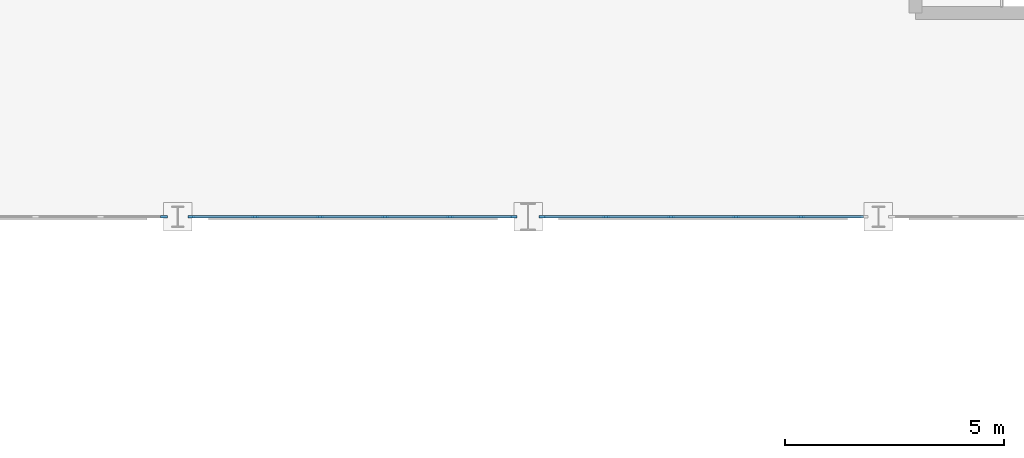
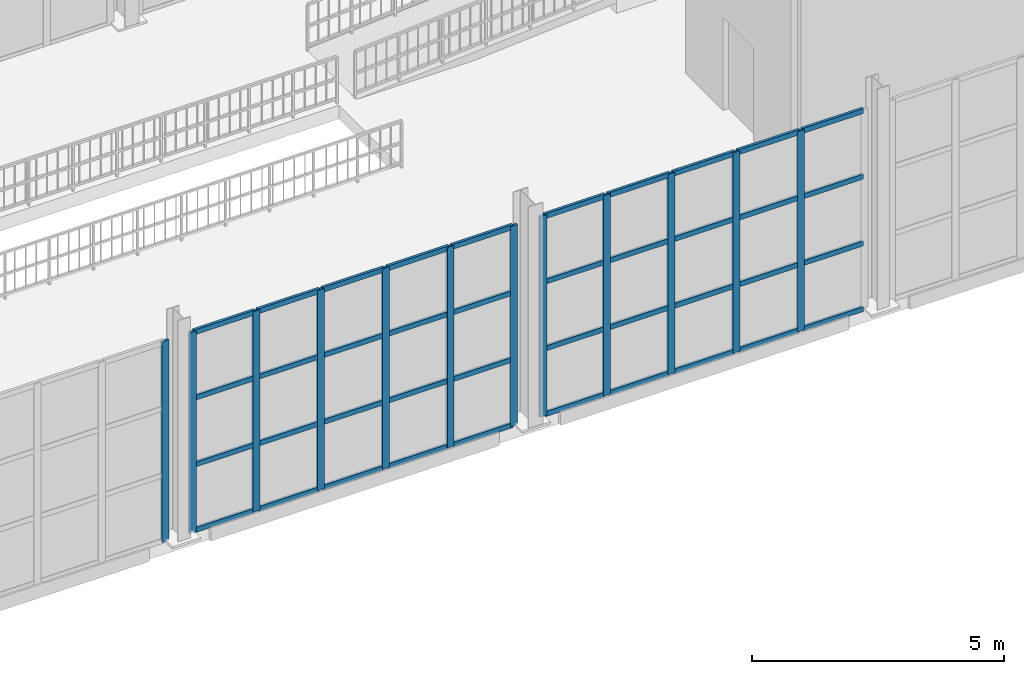
# One storey, part 18 of 82: 52 members, 3 elements without a shape of their own.
"""IFC4 building model written with IfcOpenShell, lengths in metres."""

from ifc_helpers import new_model, si_unit, direction, frame, origin, origin_2d, place, context, subcontext, project, spatial, rectangle, extrude, material, material_profile, profile_set, type_object, element, aggregate, save


model = new_model("IFC4")

# Units and contexts
model_context = context("Model", 3, precision=1e-05, world=origin(), true_north=direction((0.0, 1.0)))
body_context = subcontext(model_context, "Body", "Model", "MODEL_VIEW")
ifc_project = project(units=[si_unit("LENGTHUNIT", "METRE"), si_unit("AREAUNIT", "SQUARE_METRE"), si_unit("VOLUMEUNIT", "CUBIC_METRE"), si_unit("PLANEANGLEUNIT", "RADIAN"), si_unit("MASSUNIT", "GRAM", prefix="KILO")], contexts=[model_context])

# Site, building, storey
site_placement = place(None, origin())
site = spatial("IfcSite", under=ifc_project, at=site_placement, CompositionType="ELEMENT")
building_placement = place(site_placement, origin())
building = spatial("IfcBuilding", under=site, at=building_placement, Name="Serraluz Foothill Cableway Terminal", CompositionType="ELEMENT")
storey_placement = place(building_placement, frame((0.0, 0.0, 9.60009765625)))
storey = spatial("IfcBuildingStorey", under=building, at=storey_placement, Name="L02", CompositionType="ELEMENT", Elevation=9.60009765625)

# Curtain wall, member
ifc_material = material(Name="Architectural bronze alloy C28000", Category="aluminium")
curtain_wall_type_1 = type_object("IfcCurtainWallType", Name="TYP-CW-740X440", PredefinedType="NOTDEFINED", material=ifc_material)
curtain_wall_1_placement = place(storey_placement, origin())
curtain_wall_1 = element("IfcCurtainWall", 1, at=curtain_wall_1_placement, inside=storey, type_object=curtain_wall_type_1, Name="Ribbed Glazed Curtain Wall CW-V1S-L02-40", PredefinedType="NOTDEFINED")
ifc_material_profile_1 = material_profile(ifc_material, rectangle(XDim=0.06005859375, YDim=0.159912109375, at=origin_2d()), Name="ALU MULLION 60x160")
ifc_profile_set_1 = profile_set([ifc_material_profile_1], Name="Architectural bronze alloy C28000")
member_type_1 = type_object("IfcMemberType", Name="TYP-CW-MUL-60X160", PredefinedType="MULLION", material=ifc_profile_set_1)
member_1_placement = place(storey_placement, frame((47.6884765625, 56.0, 0.0), z_axis=(0.0, 0.0, 1.0), x_axis=(0.0, -1.0, 0.0)))
member_1 = element("IfcMember", 2, at=member_1_placement, type_object=member_type_1, Name="CW-06 mullion 1", PredefinedType="MULLION", context=body_context, shape_type="SweptSolid", body=[
    extrude(rectangle(XDim=0.06005859375, YDim=0.159912109375, at=origin_2d()), origin(), (0.0, 0.0, 1.0), 4.849853515625),
])
aggregate(curtain_wall_1, [member_1])

# Curtain wall, members
curtain_wall_type_2 = type_object("IfcCurtainWallType", Name="TYP-CW-740X490", PredefinedType="NOTDEFINED", material=ifc_material)
curtain_wall_2_placement = place(storey_placement, origin())
curtain_wall_2 = element("IfcCurtainWall", 3, at=curtain_wall_2_placement, inside=storey, type_object=curtain_wall_type_2, Name="Ribbed Glazed Curtain Wall CW-V1S-L02-48", PredefinedType="NOTDEFINED")
member_2_placement = place(storey_placement, frame((55.66748046875, 56.0, 0.0), z_axis=(0.0, 0.0, 1.0), x_axis=(0.0, -1.0, 0.0)))
member_2 = element("IfcMember", 4, at=member_2_placement, type_object=member_type_1, Name="CW-07 mullion 1", PredefinedType="MULLION", context=body_context, shape_type="SweptSolid", body=[
    extrude(rectangle(XDim=0.06005859375, YDim=0.159912109375, at=origin_2d()), origin(), (0.0, 0.0, 1.0), 4.849853515625),
])
member_3_placement = place(storey_placement, frame((54.21435546875, 56.0, 0.0), z_axis=(0.0, 0.0, 1.0), x_axis=(0.0, -1.0, 0.0)))
member_3 = element("IfcMember", 5, at=member_3_placement, type_object=member_type_1, Name="CW-07 mullion 2", PredefinedType="MULLION", context=body_context, shape_type="SweptSolid", body=[
    extrude(rectangle(XDim=0.06005859375, YDim=0.159912109375, at=origin_2d()), origin(), (0.0, 0.0, 1.0), 4.849853515625),
])
member_4_placement = place(storey_placement, frame((52.731201171875, 56.0, 0.0), z_axis=(0.0, 0.0, 1.0), x_axis=(0.0, -1.0, 0.0)))
member_4 = element("IfcMember", 6, at=member_4_placement, type_object=member_type_1, Name="CW-07 mullion 3", PredefinedType="MULLION", context=body_context, shape_type="SweptSolid", body=[
    extrude(rectangle(XDim=0.06005859375, YDim=0.159912109375, at=origin_2d()), origin(), (0.0, 0.0, 1.0), 4.849853515625),
])
member_5_placement = place(storey_placement, frame((51.247802734375, 56.0, 0.0), z_axis=(0.0, 0.0, 1.0), x_axis=(0.0, -1.0, 0.0)))
member_5 = element("IfcMember", 7, at=member_5_placement, type_object=member_type_1, Name="CW-07 mullion 4", PredefinedType="MULLION", context=body_context, shape_type="SweptSolid", body=[
    extrude(rectangle(XDim=0.06005859375, YDim=0.159912109375, at=origin_2d()), origin(), (0.0, 0.0, 1.0), 4.849853515625),
])
member_6_placement = place(storey_placement, frame((49.7646484375, 56.0, 0.0), z_axis=(0.0, 0.0, 1.0), x_axis=(0.0, -1.0, 0.0)))
member_6 = element("IfcMember", 8, at=member_6_placement, type_object=member_type_1, Name="CW-07 mullion 5", PredefinedType="MULLION", context=body_context, shape_type="SweptSolid", body=[
    extrude(rectangle(XDim=0.06005859375, YDim=0.159912109375, at=origin_2d()), origin(), (0.0, 0.0, 1.0), 4.849853515625),
])
member_7_placement = place(storey_placement, frame((48.3115234375, 56.0, 0.0), z_axis=(0.0, 0.0, 1.0), x_axis=(0.0, -1.0, 0.0)))
member_7 = element("IfcMember", 9, at=member_7_placement, type_object=member_type_1, Name="CW-07 mullion 6", PredefinedType="MULLION", context=body_context, shape_type="SweptSolid", body=[
    extrude(rectangle(XDim=0.06005859375, YDim=0.159912109375, at=origin_2d()), origin(), (0.0, 0.0, 1.0), 4.849853515625),
])

curtain_wall_type_3 = type_object("IfcCurtainWallType", Name="TYP-CW-520X440", PredefinedType="NOTDEFINED", material=ifc_material)
curtain_wall_3_placement = place(storey_placement, origin())
curtain_wall_3 = element("IfcCurtainWall", 10, at=curtain_wall_3_placement, inside=storey, type_object=curtain_wall_type_3, Name="Ribbed Glazed Curtain Wall CW-V1S-L02-56", PredefinedType="NOTDEFINED")
member_8_placement = place(storey_placement, frame((62.2353515625, 56.0, 0.0), z_axis=(0.0, 0.0, 1.0), x_axis=(0.0, -1.0, 0.0)))
member_8 = element("IfcMember", 11, at=member_8_placement, type_object=member_type_1, Name="CW-08 mullion 2", PredefinedType="MULLION", context=body_context, shape_type="SweptSolid", body=[
    extrude(rectangle(XDim=0.06005859375, YDim=0.159912109375, at=origin_2d()), origin(), (0.0, 0.0, 1.0), 4.849853515625),
])
member_9_placement = place(storey_placement, frame((60.752197265625, 56.0, 0.0), z_axis=(0.0, 0.0, 1.0), x_axis=(0.0, -1.0, 0.0)))
member_9 = element("IfcMember", 12, at=member_9_placement, type_object=member_type_1, Name="CW-08 mullion 3", PredefinedType="MULLION", context=body_context, shape_type="SweptSolid", body=[
    extrude(rectangle(XDim=0.06005859375, YDim=0.159912109375, at=origin_2d()), origin(), (0.0, 0.0, 1.0), 4.849853515625),
])
member_10_placement = place(storey_placement, frame((59.268798828125, 56.0, 0.0), z_axis=(0.0, 0.0, 1.0), x_axis=(0.0, -1.0, 0.0)))
member_10 = element("IfcMember", 13, at=member_10_placement, type_object=member_type_1, Name="CW-08 mullion 4", PredefinedType="MULLION", context=body_context, shape_type="SweptSolid", body=[
    extrude(rectangle(XDim=0.06005859375, YDim=0.159912109375, at=origin_2d()), origin(), (0.0, 0.0, 1.0), 4.849853515625),
])
member_11_placement = place(storey_placement, frame((57.78564453125, 56.0, 0.0), z_axis=(0.0, 0.0, 1.0), x_axis=(0.0, -1.0, 0.0)))
member_11 = element("IfcMember", 14, at=member_11_placement, type_object=member_type_1, Name="CW-08 mullion 5", PredefinedType="MULLION", context=body_context, shape_type="SweptSolid", body=[
    extrude(rectangle(XDim=0.06005859375, YDim=0.159912109375, at=origin_2d()), origin(), (0.0, 0.0, 1.0), 4.849853515625),
])
member_12_placement = place(storey_placement, frame((56.33251953125, 56.0, 0.0), z_axis=(0.0, 0.0, 1.0), x_axis=(0.0, -1.0, 0.0)))
member_12 = element("IfcMember", 15, at=member_12_placement, type_object=member_type_1, Name="CW-08 mullion 6", PredefinedType="MULLION", context=body_context, shape_type="SweptSolid", body=[
    extrude(rectangle(XDim=0.06005859375, YDim=0.159912109375, at=origin_2d()), origin(), (0.0, 0.0, 1.0), 4.849853515625),
])

# Member
ifc_material_profile_2 = material_profile(ifc_material, rectangle(XDim=0.06005859375, YDim=0.1201171875, at=origin_2d()), Name="ALU TRANSOM 60x120")
ifc_profile_set_2 = profile_set([ifc_material_profile_2], Name="Architectural bronze alloy C28000")
member_type_2 = type_object("IfcMemberType", Name="TYP-CW-TRN-60X120", PredefinedType="USERDEFINED", material=ifc_profile_set_2)
member_13_placement = place(storey_placement, frame((55.637451171875, 56.0, 0.02978515625), z_axis=(-1.0, 0.0, 0.0), x_axis=(0.0, -1.0, 0.0)))
member_13 = element("IfcMember", 16, at=member_13_placement, type_object=member_type_2, Name="CW-07 transom 1.1", ObjectType="TRANSOM", PredefinedType="USERDEFINED", context=body_context, shape_type="SweptSolid", body=[
    extrude(rectangle(XDim=0.06005859375, YDim=0.1201171875, at=origin_2d()), origin(), (0.0, 0.0, 1.0), 1.39306640625),
])

member_14_placement = place(storey_placement, frame((55.637451171875, 56.0, 1.61669921875), z_axis=(-1.0, 0.0, 0.0), x_axis=(0.0, -1.0, 0.0)))
member_14 = element("IfcMember", 17, at=member_14_placement, type_object=member_type_2, Name="CW-07 transom 1.2", ObjectType="TRANSOM", PredefinedType="USERDEFINED", context=body_context, shape_type="SweptSolid", body=[
    extrude(rectangle(XDim=0.06005859375, YDim=0.1201171875, at=origin_2d()), origin(), (0.0, 0.0, 1.0), 1.39306640625),
])

member_15_placement = place(storey_placement, frame((55.637451171875, 56.0, 3.233154296875), z_axis=(-1.0, 0.0, 0.0), x_axis=(0.0, -1.0, 0.0)))
member_15 = element("IfcMember", 18, at=member_15_placement, type_object=member_type_2, Name="CW-07 transom 1.3", ObjectType="TRANSOM", PredefinedType="USERDEFINED", context=body_context, shape_type="SweptSolid", body=[
    extrude(rectangle(XDim=0.06005859375, YDim=0.1201171875, at=origin_2d()), origin(), (0.0, 0.0, 1.0), 1.39306640625),
])

member_16_placement = place(storey_placement, frame((55.637451171875, 56.0, 4.81982421875), z_axis=(-1.0, 0.0, 0.0), x_axis=(0.0, -1.0, 0.0)))
member_16 = element("IfcMember", 19, at=member_16_placement, type_object=member_type_2, Name="CW-07 transom 1.4", ObjectType="TRANSOM", PredefinedType="USERDEFINED", context=body_context, shape_type="SweptSolid", body=[
    extrude(rectangle(XDim=0.06005859375, YDim=0.1201171875, at=origin_2d()), origin(), (0.0, 0.0, 1.0), 1.39306640625),
])

member_17_placement = place(storey_placement, frame((54.184326171875, 56.0, 0.02978515625), z_axis=(-1.0, 0.0, 0.0), x_axis=(0.0, -1.0, 0.0)))
member_17 = element("IfcMember", 20, at=member_17_placement, type_object=member_type_2, Name="CW-07 transom 2.1", ObjectType="TRANSOM", PredefinedType="USERDEFINED", context=body_context, shape_type="SweptSolid", body=[
    extrude(rectangle(XDim=0.06005859375, YDim=0.1201171875, at=origin_2d()), origin(), (0.0, 0.0, 1.0), 1.42333984375),
])

member_18_placement = place(storey_placement, frame((54.184326171875, 56.0, 1.61669921875), z_axis=(-1.0, 0.0, 0.0), x_axis=(0.0, -1.0, 0.0)))
member_18 = element("IfcMember", 21, at=member_18_placement, type_object=member_type_2, Name="CW-07 transom 2.2", ObjectType="TRANSOM", PredefinedType="USERDEFINED", context=body_context, shape_type="SweptSolid", body=[
    extrude(rectangle(XDim=0.06005859375, YDim=0.1201171875, at=origin_2d()), origin(), (0.0, 0.0, 1.0), 1.42333984375),
])

member_19_placement = place(storey_placement, frame((54.184326171875, 56.0, 3.233154296875), z_axis=(-1.0, 0.0, 0.0), x_axis=(0.0, -1.0, 0.0)))
member_19 = element("IfcMember", 22, at=member_19_placement, type_object=member_type_2, Name="CW-07 transom 2.3", ObjectType="TRANSOM", PredefinedType="USERDEFINED", context=body_context, shape_type="SweptSolid", body=[
    extrude(rectangle(XDim=0.06005859375, YDim=0.1201171875, at=origin_2d()), origin(), (0.0, 0.0, 1.0), 1.42333984375),
])

member_20_placement = place(storey_placement, frame((54.184326171875, 56.0, 4.81982421875), z_axis=(-1.0, 0.0, 0.0), x_axis=(0.0, -1.0, 0.0)))
member_20 = element("IfcMember", 23, at=member_20_placement, type_object=member_type_2, Name="CW-07 transom 2.4", ObjectType="TRANSOM", PredefinedType="USERDEFINED", context=body_context, shape_type="SweptSolid", body=[
    extrude(rectangle(XDim=0.06005859375, YDim=0.1201171875, at=origin_2d()), origin(), (0.0, 0.0, 1.0), 1.42333984375),
])

member_21_placement = place(storey_placement, frame((52.701171875, 56.0, 0.02978515625), z_axis=(-1.0, 0.0, 0.0), x_axis=(0.0, -1.0, 0.0)))
member_21 = element("IfcMember", 24, at=member_21_placement, type_object=member_type_2, Name="CW-07 transom 3.1", ObjectType="TRANSOM", PredefinedType="USERDEFINED", context=body_context, shape_type="SweptSolid", body=[
    extrude(rectangle(XDim=0.06005859375, YDim=0.1201171875, at=origin_2d()), origin(), (0.0, 0.0, 1.0), 1.42333984375),
])

member_22_placement = place(storey_placement, frame((52.701171875, 56.0, 1.61669921875), z_axis=(-1.0, 0.0, 0.0), x_axis=(0.0, -1.0, 0.0)))
member_22 = element("IfcMember", 25, at=member_22_placement, type_object=member_type_2, Name="CW-07 transom 3.2", ObjectType="TRANSOM", PredefinedType="USERDEFINED", context=body_context, shape_type="SweptSolid", body=[
    extrude(rectangle(XDim=0.06005859375, YDim=0.1201171875, at=origin_2d()), origin(), (0.0, 0.0, 1.0), 1.42333984375),
])

member_23_placement = place(storey_placement, frame((52.701171875, 56.0, 3.233154296875), z_axis=(-1.0, 0.0, 0.0), x_axis=(0.0, -1.0, 0.0)))
member_23 = element("IfcMember", 26, at=member_23_placement, type_object=member_type_2, Name="CW-07 transom 3.3", ObjectType="TRANSOM", PredefinedType="USERDEFINED", context=body_context, shape_type="SweptSolid", body=[
    extrude(rectangle(XDim=0.06005859375, YDim=0.1201171875, at=origin_2d()), origin(), (0.0, 0.0, 1.0), 1.42333984375),
])

member_24_placement = place(storey_placement, frame((52.701171875, 56.0, 4.81982421875), z_axis=(-1.0, 0.0, 0.0), x_axis=(0.0, -1.0, 0.0)))
member_24 = element("IfcMember", 27, at=member_24_placement, type_object=member_type_2, Name="CW-07 transom 3.4", ObjectType="TRANSOM", PredefinedType="USERDEFINED", context=body_context, shape_type="SweptSolid", body=[
    extrude(rectangle(XDim=0.06005859375, YDim=0.1201171875, at=origin_2d()), origin(), (0.0, 0.0, 1.0), 1.42333984375),
])

member_25_placement = place(storey_placement, frame((51.218017578125, 56.0, 0.02978515625), z_axis=(-1.0, 0.0, 0.0), x_axis=(0.0, -1.0, 0.0)))
member_25 = element("IfcMember", 28, at=member_25_placement, type_object=member_type_2, Name="CW-07 transom 4.1", ObjectType="TRANSOM", PredefinedType="USERDEFINED", context=body_context, shape_type="SweptSolid", body=[
    extrude(rectangle(XDim=0.06005859375, YDim=0.1201171875, at=origin_2d()), origin(), (0.0, 0.0, 1.0), 1.42333984375),
])

member_26_placement = place(storey_placement, frame((51.218017578125, 56.0, 1.61669921875), z_axis=(-1.0, 0.0, 0.0), x_axis=(0.0, -1.0, 0.0)))
member_26 = element("IfcMember", 29, at=member_26_placement, type_object=member_type_2, Name="CW-07 transom 4.2", ObjectType="TRANSOM", PredefinedType="USERDEFINED", context=body_context, shape_type="SweptSolid", body=[
    extrude(rectangle(XDim=0.06005859375, YDim=0.1201171875, at=origin_2d()), origin(), (0.0, 0.0, 1.0), 1.42333984375),
])

member_27_placement = place(storey_placement, frame((51.218017578125, 56.0, 3.233154296875), z_axis=(-1.0, 0.0, 0.0), x_axis=(0.0, -1.0, 0.0)))
member_27 = element("IfcMember", 30, at=member_27_placement, type_object=member_type_2, Name="CW-07 transom 4.3", ObjectType="TRANSOM", PredefinedType="USERDEFINED", context=body_context, shape_type="SweptSolid", body=[
    extrude(rectangle(XDim=0.06005859375, YDim=0.1201171875, at=origin_2d()), origin(), (0.0, 0.0, 1.0), 1.42333984375),
])

member_28_placement = place(storey_placement, frame((51.218017578125, 56.0, 4.81982421875), z_axis=(-1.0, 0.0, 0.0), x_axis=(0.0, -1.0, 0.0)))
member_28 = element("IfcMember", 31, at=member_28_placement, type_object=member_type_2, Name="CW-07 transom 4.4", ObjectType="TRANSOM", PredefinedType="USERDEFINED", context=body_context, shape_type="SweptSolid", body=[
    extrude(rectangle(XDim=0.06005859375, YDim=0.1201171875, at=origin_2d()), origin(), (0.0, 0.0, 1.0), 1.42333984375),
])

member_29_placement = place(storey_placement, frame((49.734619140625, 56.0, 0.02978515625), z_axis=(-1.0, 0.0, 0.0), x_axis=(0.0, -1.0, 0.0)))
member_29 = element("IfcMember", 32, at=member_29_placement, type_object=member_type_2, Name="CW-07 transom 5.1", ObjectType="TRANSOM", PredefinedType="USERDEFINED", context=body_context, shape_type="SweptSolid", body=[
    extrude(rectangle(XDim=0.06005859375, YDim=0.1201171875, at=origin_2d()), origin(), (0.0, 0.0, 1.0), 1.39306640625),
])

member_30_placement = place(storey_placement, frame((49.734619140625, 56.0, 1.61669921875), z_axis=(-1.0, 0.0, 0.0), x_axis=(0.0, -1.0, 0.0)))
member_30 = element("IfcMember", 33, at=member_30_placement, type_object=member_type_2, Name="CW-07 transom 5.2", ObjectType="TRANSOM", PredefinedType="USERDEFINED", context=body_context, shape_type="SweptSolid", body=[
    extrude(rectangle(XDim=0.06005859375, YDim=0.1201171875, at=origin_2d()), origin(), (0.0, 0.0, 1.0), 1.39306640625),
])

member_31_placement = place(storey_placement, frame((49.734619140625, 56.0, 3.233154296875), z_axis=(-1.0, 0.0, 0.0), x_axis=(0.0, -1.0, 0.0)))
member_31 = element("IfcMember", 34, at=member_31_placement, type_object=member_type_2, Name="CW-07 transom 5.3", ObjectType="TRANSOM", PredefinedType="USERDEFINED", context=body_context, shape_type="SweptSolid", body=[
    extrude(rectangle(XDim=0.06005859375, YDim=0.1201171875, at=origin_2d()), origin(), (0.0, 0.0, 1.0), 1.39306640625),
])

member_32_placement = place(storey_placement, frame((49.734619140625, 56.0, 4.81982421875), z_axis=(-1.0, 0.0, 0.0), x_axis=(0.0, -1.0, 0.0)))
member_32 = element("IfcMember", 35, at=member_32_placement, type_object=member_type_2, Name="CW-07 transom 5.4", ObjectType="TRANSOM", PredefinedType="USERDEFINED", context=body_context, shape_type="SweptSolid", body=[
    extrude(rectangle(XDim=0.06005859375, YDim=0.1201171875, at=origin_2d()), origin(), (0.0, 0.0, 1.0), 1.39306640625),
])

aggregate(curtain_wall_2, [member_2, member_3, member_4, member_5, member_6, member_7, member_13, member_14, member_15, member_16, member_17, member_18, member_19, member_20, member_21, member_22, member_23, member_24, member_25, member_26, member_27, member_28, member_29, member_30, member_31, member_32])

member_33_placement = place(storey_placement, frame((63.658447265625, 56.0, 0.02978515625), z_axis=(-1.0, 0.0, 0.0), x_axis=(0.0, -1.0, 0.0)))
member_33 = element("IfcMember", 36, at=member_33_placement, type_object=member_type_2, Name="CW-08 transom 1.1", ObjectType="TRANSOM", PredefinedType="USERDEFINED", context=body_context, shape_type="SweptSolid", body=[
    extrude(rectangle(XDim=0.06005859375, YDim=0.1201171875, at=origin_2d()), origin(), (0.0, 0.0, 1.0), 1.39306640625),
])

member_34_placement = place(storey_placement, frame((63.658447265625, 56.0, 1.61669921875), z_axis=(-1.0, 0.0, 0.0), x_axis=(0.0, -1.0, 0.0)))
member_34 = element("IfcMember", 37, at=member_34_placement, type_object=member_type_2, Name="CW-08 transom 1.2", ObjectType="TRANSOM", PredefinedType="USERDEFINED", context=body_context, shape_type="SweptSolid", body=[
    extrude(rectangle(XDim=0.06005859375, YDim=0.1201171875, at=origin_2d()), origin(), (0.0, 0.0, 1.0), 1.39306640625),
])

member_35_placement = place(storey_placement, frame((63.658447265625, 56.0, 3.233154296875), z_axis=(-1.0, 0.0, 0.0), x_axis=(0.0, -1.0, 0.0)))
member_35 = element("IfcMember", 38, at=member_35_placement, type_object=member_type_2, Name="CW-08 transom 1.3", ObjectType="TRANSOM", PredefinedType="USERDEFINED", context=body_context, shape_type="SweptSolid", body=[
    extrude(rectangle(XDim=0.06005859375, YDim=0.1201171875, at=origin_2d()), origin(), (0.0, 0.0, 1.0), 1.39306640625),
])

member_36_placement = place(storey_placement, frame((63.658447265625, 56.0, 4.81982421875), z_axis=(-1.0, 0.0, 0.0), x_axis=(0.0, -1.0, 0.0)))
member_36 = element("IfcMember", 39, at=member_36_placement, type_object=member_type_2, Name="CW-08 transom 1.4", ObjectType="TRANSOM", PredefinedType="USERDEFINED", context=body_context, shape_type="SweptSolid", body=[
    extrude(rectangle(XDim=0.06005859375, YDim=0.1201171875, at=origin_2d()), origin(), (0.0, 0.0, 1.0), 1.39306640625),
])

member_37_placement = place(storey_placement, frame((62.205322265625, 56.0, 0.02978515625), z_axis=(-1.0, 0.0, 0.0), x_axis=(0.0, -1.0, 0.0)))
member_37 = element("IfcMember", 40, at=member_37_placement, type_object=member_type_2, Name="CW-08 transom 2.1", ObjectType="TRANSOM", PredefinedType="USERDEFINED", context=body_context, shape_type="SweptSolid", body=[
    extrude(rectangle(XDim=0.06005859375, YDim=0.1201171875, at=origin_2d()), origin(), (0.0, 0.0, 1.0), 1.42333984375),
])

member_38_placement = place(storey_placement, frame((62.205322265625, 56.0, 1.61669921875), z_axis=(-1.0, 0.0, 0.0), x_axis=(0.0, -1.0, 0.0)))
member_38 = element("IfcMember", 41, at=member_38_placement, type_object=member_type_2, Name="CW-08 transom 2.2", ObjectType="TRANSOM", PredefinedType="USERDEFINED", context=body_context, shape_type="SweptSolid", body=[
    extrude(rectangle(XDim=0.06005859375, YDim=0.1201171875, at=origin_2d()), origin(), (0.0, 0.0, 1.0), 1.42333984375),
])

member_39_placement = place(storey_placement, frame((62.205322265625, 56.0, 3.233154296875), z_axis=(-1.0, 0.0, 0.0), x_axis=(0.0, -1.0, 0.0)))
member_39 = element("IfcMember", 42, at=member_39_placement, type_object=member_type_2, Name="CW-08 transom 2.3", ObjectType="TRANSOM", PredefinedType="USERDEFINED", context=body_context, shape_type="SweptSolid", body=[
    extrude(rectangle(XDim=0.06005859375, YDim=0.1201171875, at=origin_2d()), origin(), (0.0, 0.0, 1.0), 1.42333984375),
])

member_40_placement = place(storey_placement, frame((62.205322265625, 56.0, 4.81982421875), z_axis=(-1.0, 0.0, 0.0), x_axis=(0.0, -1.0, 0.0)))
member_40 = element("IfcMember", 43, at=member_40_placement, type_object=member_type_2, Name="CW-08 transom 2.4", ObjectType="TRANSOM", PredefinedType="USERDEFINED", context=body_context, shape_type="SweptSolid", body=[
    extrude(rectangle(XDim=0.06005859375, YDim=0.1201171875, at=origin_2d()), origin(), (0.0, 0.0, 1.0), 1.42333984375),
])

member_41_placement = place(storey_placement, frame((60.72216796875, 56.0, 0.02978515625), z_axis=(-1.0, 0.0, 0.0), x_axis=(0.0, -1.0, 0.0)))
member_41 = element("IfcMember", 44, at=member_41_placement, type_object=member_type_2, Name="CW-08 transom 3.1", ObjectType="TRANSOM", PredefinedType="USERDEFINED", context=body_context, shape_type="SweptSolid", body=[
    extrude(rectangle(XDim=0.06005859375, YDim=0.1201171875, at=origin_2d()), origin(), (0.0, 0.0, 1.0), 1.42333984375),
])

member_42_placement = place(storey_placement, frame((60.72216796875, 56.0, 1.61669921875), z_axis=(-1.0, 0.0, 0.0), x_axis=(0.0, -1.0, 0.0)))
member_42 = element("IfcMember", 45, at=member_42_placement, type_object=member_type_2, Name="CW-08 transom 3.2", ObjectType="TRANSOM", PredefinedType="USERDEFINED", context=body_context, shape_type="SweptSolid", body=[
    extrude(rectangle(XDim=0.06005859375, YDim=0.1201171875, at=origin_2d()), origin(), (0.0, 0.0, 1.0), 1.42333984375),
])

member_43_placement = place(storey_placement, frame((60.72216796875, 56.0, 3.233154296875), z_axis=(-1.0, 0.0, 0.0), x_axis=(0.0, -1.0, 0.0)))
member_43 = element("IfcMember", 46, at=member_43_placement, type_object=member_type_2, Name="CW-08 transom 3.3", ObjectType="TRANSOM", PredefinedType="USERDEFINED", context=body_context, shape_type="SweptSolid", body=[
    extrude(rectangle(XDim=0.06005859375, YDim=0.1201171875, at=origin_2d()), origin(), (0.0, 0.0, 1.0), 1.42333984375),
])

member_44_placement = place(storey_placement, frame((60.72216796875, 56.0, 4.81982421875), z_axis=(-1.0, 0.0, 0.0), x_axis=(0.0, -1.0, 0.0)))
member_44 = element("IfcMember", 47, at=member_44_placement, type_object=member_type_2, Name="CW-08 transom 3.4", ObjectType="TRANSOM", PredefinedType="USERDEFINED", context=body_context, shape_type="SweptSolid", body=[
    extrude(rectangle(XDim=0.06005859375, YDim=0.1201171875, at=origin_2d()), origin(), (0.0, 0.0, 1.0), 1.42333984375),
])

member_45_placement = place(storey_placement, frame((59.239013671875, 56.0, 0.02978515625), z_axis=(-1.0, 0.0, 0.0), x_axis=(0.0, -1.0, 0.0)))
member_45 = element("IfcMember", 48, at=member_45_placement, type_object=member_type_2, Name="CW-08 transom 4.1", ObjectType="TRANSOM", PredefinedType="USERDEFINED", context=body_context, shape_type="SweptSolid", body=[
    extrude(rectangle(XDim=0.06005859375, YDim=0.1201171875, at=origin_2d()), origin(), (0.0, 0.0, 1.0), 1.42333984375),
])

member_46_placement = place(storey_placement, frame((59.239013671875, 56.0, 1.61669921875), z_axis=(-1.0, 0.0, 0.0), x_axis=(0.0, -1.0, 0.0)))
member_46 = element("IfcMember", 49, at=member_46_placement, type_object=member_type_2, Name="CW-08 transom 4.2", ObjectType="TRANSOM", PredefinedType="USERDEFINED", context=body_context, shape_type="SweptSolid", body=[
    extrude(rectangle(XDim=0.06005859375, YDim=0.1201171875, at=origin_2d()), origin(), (0.0, 0.0, 1.0), 1.42333984375),
])

member_47_placement = place(storey_placement, frame((59.239013671875, 56.0, 3.233154296875), z_axis=(-1.0, 0.0, 0.0), x_axis=(0.0, -1.0, 0.0)))
member_47 = element("IfcMember", 50, at=member_47_placement, type_object=member_type_2, Name="CW-08 transom 4.3", ObjectType="TRANSOM", PredefinedType="USERDEFINED", context=body_context, shape_type="SweptSolid", body=[
    extrude(rectangle(XDim=0.06005859375, YDim=0.1201171875, at=origin_2d()), origin(), (0.0, 0.0, 1.0), 1.42333984375),
])

member_48_placement = place(storey_placement, frame((59.239013671875, 56.0, 4.81982421875), z_axis=(-1.0, 0.0, 0.0), x_axis=(0.0, -1.0, 0.0)))
member_48 = element("IfcMember", 51, at=member_48_placement, type_object=member_type_2, Name="CW-08 transom 4.4", ObjectType="TRANSOM", PredefinedType="USERDEFINED", context=body_context, shape_type="SweptSolid", body=[
    extrude(rectangle(XDim=0.06005859375, YDim=0.1201171875, at=origin_2d()), origin(), (0.0, 0.0, 1.0), 1.42333984375),
])

member_49_placement = place(storey_placement, frame((57.755615234375, 56.0, 0.02978515625), z_axis=(-1.0, 0.0, 0.0), x_axis=(0.0, -1.0, 0.0)))
member_49 = element("IfcMember", 52, at=member_49_placement, type_object=member_type_2, Name="CW-08 transom 5.1", ObjectType="TRANSOM", PredefinedType="USERDEFINED", context=body_context, shape_type="SweptSolid", body=[
    extrude(rectangle(XDim=0.06005859375, YDim=0.1201171875, at=origin_2d()), origin(), (0.0, 0.0, 1.0), 1.39306640625),
])

member_50_placement = place(storey_placement, frame((57.755615234375, 56.0, 1.61669921875), z_axis=(-1.0, 0.0, 0.0), x_axis=(0.0, -1.0, 0.0)))
member_50 = element("IfcMember", 53, at=member_50_placement, type_object=member_type_2, Name="CW-08 transom 5.2", ObjectType="TRANSOM", PredefinedType="USERDEFINED", context=body_context, shape_type="SweptSolid", body=[
    extrude(rectangle(XDim=0.06005859375, YDim=0.1201171875, at=origin_2d()), origin(), (0.0, 0.0, 1.0), 1.39306640625),
])

member_51_placement = place(storey_placement, frame((57.755615234375, 56.0, 3.233154296875), z_axis=(-1.0, 0.0, 0.0), x_axis=(0.0, -1.0, 0.0)))
member_51 = element("IfcMember", 54, at=member_51_placement, type_object=member_type_2, Name="CW-08 transom 5.3", ObjectType="TRANSOM", PredefinedType="USERDEFINED", context=body_context, shape_type="SweptSolid", body=[
    extrude(rectangle(XDim=0.06005859375, YDim=0.1201171875, at=origin_2d()), origin(), (0.0, 0.0, 1.0), 1.39306640625),
])

member_52_placement = place(storey_placement, frame((57.755615234375, 56.0, 4.81982421875), z_axis=(-1.0, 0.0, 0.0), x_axis=(0.0, -1.0, 0.0)))
member_52 = element("IfcMember", 55, at=member_52_placement, type_object=member_type_2, Name="CW-08 transom 5.4", ObjectType="TRANSOM", PredefinedType="USERDEFINED", context=body_context, shape_type="SweptSolid", body=[
    extrude(rectangle(XDim=0.06005859375, YDim=0.1201171875, at=origin_2d()), origin(), (0.0, 0.0, 1.0), 1.39306640625),
])

aggregate(curtain_wall_3, [member_8, member_9, member_10, member_11, member_12, member_33, member_34, member_35, member_36, member_37, member_38, member_39, member_40, member_41, member_42, member_43, member_44, member_45, member_46, member_47, member_48, member_49, member_50, member_51, member_52])

save(model, "model.ifc")
